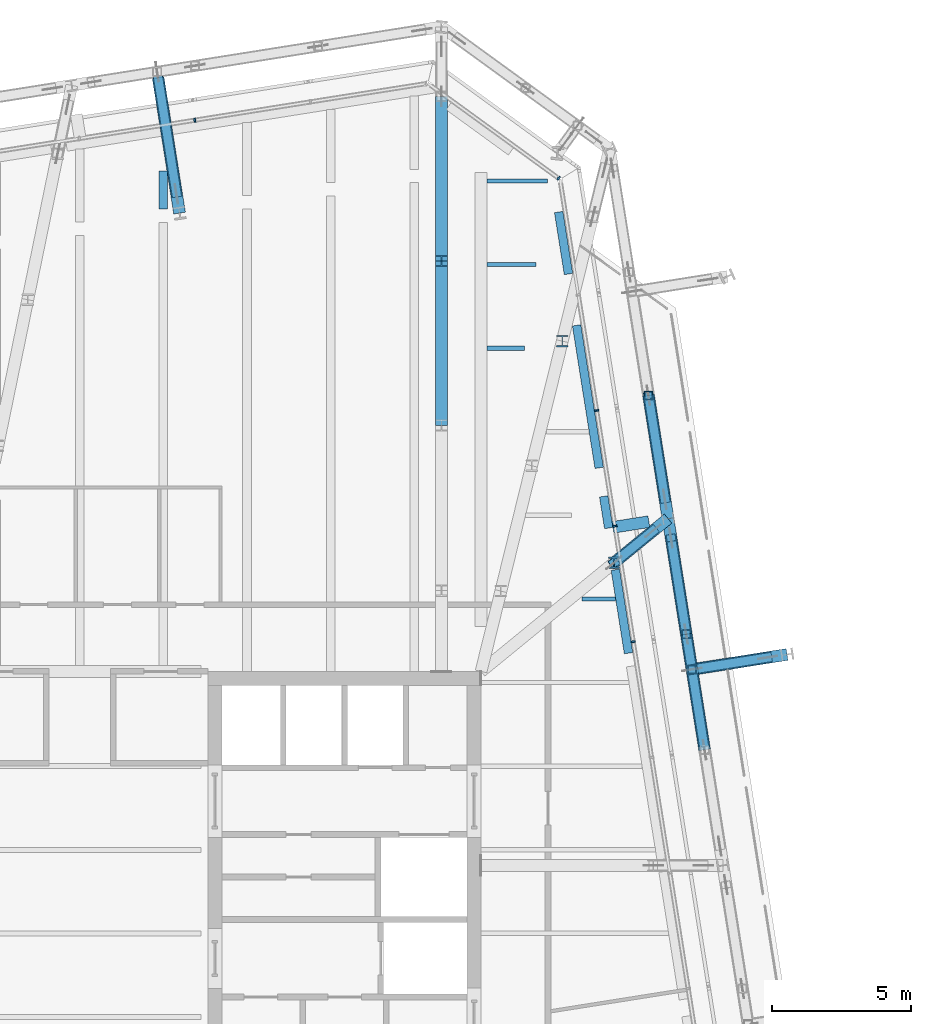
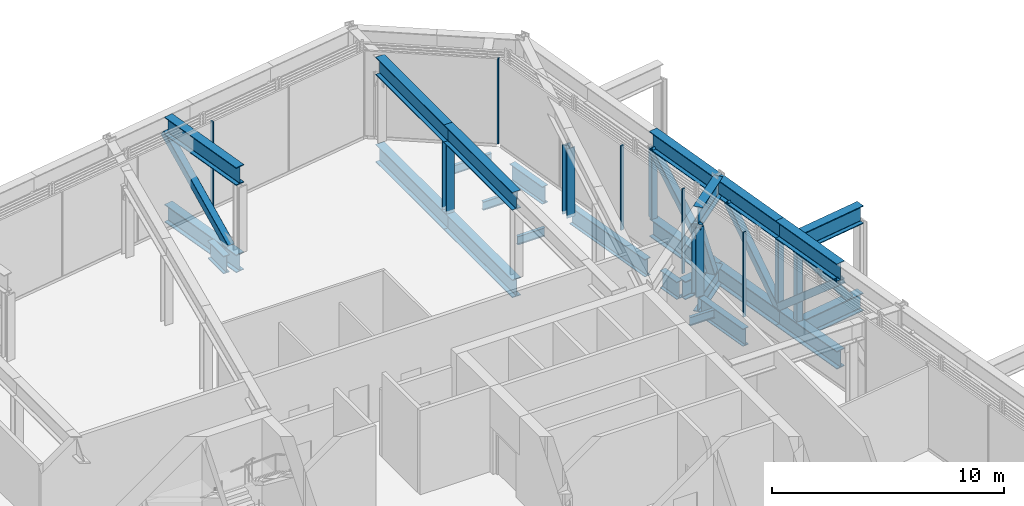
# One storey, part 18 of 35: 26 beams, 17 members, 3 elements without a shape of their own.
"""IFC4 building model written with IfcOpenShell, lengths in metres."""

from ifc_helpers import new_model, si_unit, direction, frame, origin, origin_2d, place, context, subcontext, project, spatial, rectangle, hollow_rectangle, i_section, extrude, material, layer, layer_set, material_profile, profile_set, type_object, element, aggregate, save


model = new_model("IFC4")

# Units and contexts
model_context = context("Model", 3, precision=1e-05, world=origin(), true_north=direction((0.0, 1.0)))
body_context = subcontext(model_context, "Body", "Model", "MODEL_VIEW")
ifc_project = project(units=[si_unit("LENGTHUNIT", "METRE"), si_unit("AREAUNIT", "SQUARE_METRE"), si_unit("VOLUMEUNIT", "CUBIC_METRE"), si_unit("PLANEANGLEUNIT", "RADIAN"), si_unit("MASSUNIT", "GRAM", prefix="KILO")], contexts=[model_context])

# Site, building, storey
site_placement = place(None, origin())
site = spatial("IfcSite", under=ifc_project, at=site_placement, CompositionType="ELEMENT")
building_placement = place(site_placement, origin())
building = spatial("IfcBuilding", under=site, at=building_placement, Name="Millrace Tower", CompositionType="ELEMENT")
storey_placement = place(building_placement, frame((0.0, 0.0, 200.10009765625)))
storey = spatial("IfcBuildingStorey", under=building, at=storey_placement, Name="L45", CompositionType="ELEMENT", Elevation=200.10009765625)

# Curtain wall, members
ifc_material_1 = material(Name="Aluminium and glass", Category="aluminium")
ifc_layer = layer(ifc_material_1, 0.14990234375)
ifc_layer_set = layer_set([ifc_layer], Name="Aluminium and glass")
curtain_wall_type = type_object("IfcCurtainWallType", Name="CW-5 truss and plant storey louvred infill", PredefinedType="NOTDEFINED", material=ifc_layer_set)
placement = place(storey_placement, origin())
curtain_wall_1 = element("IfcCurtainWall", 1, at=placement, inside=storey, type_object=curtain_wall_type, Name="Curtain wall D-F04 L45", PredefinedType="NOTDEFINED")
ifc_material_2 = material(Name="Aluminium", Category="aluminium")
ifc_material_profile_1 = material_profile(ifc_material_2, rectangle(XDim=0.06494140625, YDim=0.14990234375, at=origin_2d()))
ifc_profile_set_1 = profile_set([ifc_material_profile_1], Name="Aluminium")
member_type_1 = type_object("IfcMemberType", Name="CW-5 truss and plant storey louvred infill mullion", PredefinedType="MULLION", material=ifc_profile_set_1)
member_1_placement = place(storey_placement, frame((19.857421875, 10.466064453125, 0.139892578125), z_axis=(0.0, 0.0, 1.0), x_axis=(-0.156434471884, 0.987688339511, 0.0)))
member_1 = element("IfcMember", 2, at=member_1_placement, type_object=member_type_1, Name="CW5 mullion D-F04.6", PredefinedType="MULLION", context=body_context, shape_type="SweptSolid", body=[
    extrude(rectangle(XDim=0.06494140625, YDim=0.14990234375, at=origin_2d()), origin(), (0.0, 0.0, 1.0), 4.4599609375),
])
member_2_placement = place(storey_placement, frame((19.2001953125, 14.6142578125, 0.139892578125), z_axis=(0.0, 0.0, 1.0), x_axis=(-0.156434471884, 0.987688339511, 0.0)))
member_2 = element("IfcMember", 3, at=member_2_placement, type_object=member_type_1, Name="CW5 mullion D-F04.7", PredefinedType="MULLION", context=body_context, shape_type="SweptSolid", body=[
    extrude(rectangle(XDim=0.06494140625, YDim=0.14990234375, at=origin_2d()), origin(), (0.0, 0.0, 1.0), 4.4599609375),
])
member_3_placement = place(storey_placement, frame((18.543212890625, 18.762451171875, 0.139892578125), z_axis=(0.0, 0.0, 1.0), x_axis=(-0.156434471884, 0.987688339511, 0.0)))
member_3 = element("IfcMember", 4, at=member_3_placement, type_object=member_type_1, Name="CW5 mullion D-F04.8", PredefinedType="MULLION", context=body_context, shape_type="SweptSolid", body=[
    extrude(rectangle(XDim=0.06494140625, YDim=0.14990234375, at=origin_2d()), origin(), (0.0, 0.0, 1.0), 4.4599609375),
])
aggregate(curtain_wall_1, [member_1, member_2, member_3])

# Curtain wall, member
curtain_wall_2 = element("IfcCurtainWall", 5, at=placement, inside=storey, type_object=curtain_wall_type, Name="Curtain wall D-F05 L45", PredefinedType="NOTDEFINED")
member_4_placement = place(storey_placement, frame((17.177978515625, 27.094970703125, 0.139892578125), z_axis=(0.0, 0.0, 1.0), x_axis=(-0.809016955361, 0.587785305991, 0.0)))
member_4 = element("IfcMember", 6, at=member_4_placement, type_object=member_type_1, Name="CW5 mullion D-F05.1", PredefinedType="MULLION", context=body_context, shape_type="SweptSolid", body=[
    extrude(rectangle(XDim=0.06494140625, YDim=0.14990234375, at=origin_2d()), origin(), (0.0, 0.0, 1.0), 4.4599609375),
])
aggregate(curtain_wall_2, [member_4])

curtain_wall_3 = element("IfcCurtainWall", 7, at=placement, inside=storey, type_object=curtain_wall_type, Name="Curtain wall D-F06 L45", PredefinedType="NOTDEFINED")
member_5_placement = place(storey_placement, frame((4.12890625, 29.178466796875, 0.139892578125), z_axis=(0.0, 0.0, 1.0), x_axis=(-0.987688339511, -0.156434471884, 0.0)))
member_5 = element("IfcMember", 8, at=member_5_placement, type_object=member_type_1, Name="CW5 mullion D-F06.3", PredefinedType="MULLION", context=body_context, shape_type="SweptSolid", body=[
    extrude(rectangle(XDim=0.06494140625, YDim=0.14990234375, at=origin_2d()), origin(), (0.0, 0.0, 1.0), 4.4599609375),
])
aggregate(curtain_wall_3, [member_5])

# Beams
ifc_material_3 = material(Name="Steel ASTM A992 Grade 50", Category="steel")
ifc_material_profile_2 = material_profile(ifc_material_3, i_section(OverallWidth=0.15234375, OverallDepth=0.449462890625, WebThickness=0.007568359375, FlangeThickness=0.0107421875, FilletRadius=0.01025390625, at=origin_2d()))
ifc_profile_set_2 = profile_set([ifc_material_profile_2], Name="Steel ASTM A992 Grade 50")
beam_type_1 = type_object("IfcBeamType", Name="Floor beam W18x35", PredefinedType="JOIST", material=ifc_profile_set_2)
beam_1_placement = place(storey_placement, frame((14.609619140625, 27.0, -0.384765625), z_axis=(1.0, 0.0, 0.0), x_axis=(0.0, 1.0, 0.0)))
element("IfcBeam", 9, at=beam_1_placement, inside=storey, type_object=beam_type_1, Name="BM-D-L45-S1-S035", PredefinedType="JOIST", context=body_context, shape_type="SweptSolid", body=[
    extrude(i_section(OverallWidth=0.15234375, OverallDepth=0.449462890625, WebThickness=0.007568359375, FlangeThickness=0.0107421875, FilletRadius=0.01025390625, at=origin_2d()), origin(), (0.0, 0.0, 1.0), 2.168701171875),
])
beam_2_placement = place(storey_placement, frame((14.609619140625, 21.0, -0.384765625), z_axis=(1.0, 0.0, 0.0), x_axis=(0.0, 1.0, 0.0)))
element("IfcBeam", 10, at=beam_2_placement, inside=storey, type_object=beam_type_1, Name="BM-D-L45-S1-S032-a", PredefinedType="JOIST", context=body_context, shape_type="SweptSolid", body=[
    extrude(i_section(OverallWidth=0.15234375, OverallDepth=0.449462890625, WebThickness=0.007568359375, FlangeThickness=0.0107421875, FilletRadius=0.01025390625, at=origin_2d()), origin(), (0.0, 0.0, 1.0), 1.353515625),
])
beam_3_placement = place(storey_placement, frame((14.609619140625, 24.0, -0.384765625), z_axis=(1.0, 0.0, 0.0), x_axis=(0.0, 1.0, 0.0)))
element("IfcBeam", 11, at=beam_3_placement, inside=storey, type_object=beam_type_1, Name="BM-D-L45-S1-S034", PredefinedType="JOIST", context=body_context, shape_type="SweptSolid", body=[
    extrude(i_section(OverallWidth=0.15234375, OverallDepth=0.449462890625, WebThickness=0.007568359375, FlangeThickness=0.0107421875, FilletRadius=0.01025390625, at=origin_2d()), origin(), (0.0, 0.0, 1.0), 1.760986328125),
])
beam_4_placement = place(storey_placement, frame((18.011474609375, 12.0, -0.384765625), z_axis=(1.0, 0.0, 0.0), x_axis=(0.0, 1.0, 0.0)))
element("IfcBeam", 12, at=beam_4_placement, inside=storey, type_object=beam_type_1, Name="BM-D-L45-S1-S026-b", PredefinedType="JOIST", context=body_context, shape_type="SweptSolid", body=[
    extrude(i_section(OverallWidth=0.15234375, OverallDepth=0.449462890625, WebThickness=0.007568359375, FlangeThickness=0.0107421875, FilletRadius=0.01025390625, at=origin_2d()), origin(), (0.0, 0.0, 1.0), 1.2158203125),
])
ifc_material_4 = material(Name="Steel ASTM A992 Grade 50", Category="steel")
ifc_material_profile_3 = material_profile(ifc_material_4, i_section(OverallWidth=0.307373046875, OverallDepth=0.927001953125, WebThickness=0.01953125, FlangeThickness=0.031982421875, FilletRadius=0.01904296875, at=origin_2d()))
ifc_profile_set_3 = profile_set([ifc_material_profile_3], Name="Steel ASTM A992 Grade 50")
beam_type_2 = type_object("IfcBeamType", Name="Floor beam W36x194", PredefinedType="JOIST", material=ifc_profile_set_3)
beam_5_placement = place(storey_placement, frame((3.0, 25.99658203125, -0.62353515625), z_axis=(0.0, 1.0, 0.0), x_axis=(-1.0, 0.0, 0.0)))
element("IfcBeam", 13, at=beam_5_placement, inside=storey, type_object=beam_type_2, Name="BM-D-L45-S1-S046-b", PredefinedType="JOIST", context=body_context, shape_type="SweptSolid", body=[
    extrude(i_section(OverallWidth=0.307373046875, OverallDepth=0.927001953125, WebThickness=0.01953125, FlangeThickness=0.031982421875, FilletRadius=0.01904296875, at=origin_2d()), origin(), (0.0, 0.0, 1.0), 1.360107421875),
])
ifc_material_5 = material(Name="Steel ASTM A992 Grade 50", Category="steel")
ifc_material_profile_4 = material_profile(ifc_material_5, i_section(OverallWidth=0.421630859375, OverallDepth=0.95751953125, WebThickness=0.02587890625, FlangeThickness=0.046875, FilletRadius=0.024169921875, at=origin_2d()))
ifc_profile_set_4 = profile_set([ifc_material_profile_4], Name="Steel ASTM A992 Grade 50")
beam_type_3 = type_object("IfcBeamType", Name="Link beam W36x330", PredefinedType="BEAM", material=ifc_profile_set_4)
beam_6_placement = place(storey_placement, frame((19.13134765625, 14.5703125, -0.638916015625), z_axis=(0.987659458233, 0.156616712269, 0.0), x_axis=(-0.156616712269, 0.987659458233, 0.0)))
element("IfcBeam", 14, at=beam_6_placement, inside=storey, type_object=beam_type_3, Name="LNK-D-L45-S1-10", PredefinedType="BEAM", context=body_context, shape_type="SweptSolid", body=[
    extrude(i_section(OverallWidth=0.421630859375, OverallDepth=0.95751953125, WebThickness=0.02587890625, FlangeThickness=0.046875, FilletRadius=0.024169921875, at=origin_2d()), origin(), (0.0, 0.0, 1.0), 1.30322265625),
])
ifc_material_6 = material(Name="Steel ASTM A992 Grade 50", Category="steel")
ifc_material_profile_5 = material_profile(ifc_material_6, i_section(OverallWidth=0.307373046875, OverallDepth=0.927001953125, WebThickness=0.01953125, FlangeThickness=0.031982421875, FilletRadius=0.01904296875, at=origin_2d()))
ifc_profile_set_5 = profile_set([ifc_material_profile_5], Name="Steel ASTM A992 Grade 50")
beam_type_4 = type_object("IfcBeamType", Name="Ring beam short span W36x194", PredefinedType="SPANDREL", material=ifc_profile_set_5)
beam_7_placement = place(storey_placement, frame((18.799560546875, 15.6826171875, -0.62353515625), z_axis=(0.156409375895, -0.987692313999, 0.0), x_axis=(0.987692313999, 0.156409375895, 0.0)))
element("IfcBeam", 15, at=beam_7_placement, inside=storey, type_object=beam_type_4, Name="RNG-D-L45-S1-09-b", PredefinedType="SPANDREL", context=body_context, shape_type="SweptSolid", body=[
    extrude(i_section(OverallWidth=0.307373046875, OverallDepth=0.927001953125, WebThickness=0.01953125, FlangeThickness=0.031982421875, FilletRadius=0.01904296875, at=origin_2d()), origin(), (0.0, 0.0, 1.0), 1.150390625),
])
beam_8_placement = place(storey_placement, frame((19.216552734375, 13.050537109375, -0.62353515625), z_axis=(0.156417289995, -0.987691060702, 0.0), x_axis=(0.987691060702, 0.156417289995, 0.0)))
element("IfcBeam", 16, at=beam_8_placement, inside=storey, type_object=beam_type_4, Name="RNG-D-L45-S1-10-a", PredefinedType="SPANDREL", context=body_context, shape_type="SweptSolid", body=[
    extrude(i_section(OverallWidth=0.307373046875, OverallDepth=0.927001953125, WebThickness=0.01953125, FlangeThickness=0.031982421875, FilletRadius=0.01904296875, at=origin_2d()), origin(), (0.0, 0.0, 1.0), 3.03271484375),
])
beam_9_placement = place(storey_placement, frame((17.183837890625, 25.884033203125, -0.62353515625), z_axis=(0.15646890684, -0.987682884934, 0.0), x_axis=(0.987682884934, 0.15646890684, 0.0)))
element("IfcBeam", 17, at=beam_9_placement, inside=storey, type_object=beam_type_4, Name="RNG-D-L45-S1-09-a-a", PredefinedType="SPANDREL", context=body_context, shape_type="SweptSolid", body=[
    extrude(i_section(OverallWidth=0.307373046875, OverallDepth=0.927001953125, WebThickness=0.01953125, FlangeThickness=0.031982421875, FilletRadius=0.01904296875, at=origin_2d()), origin(), (0.0, 0.0, 1.0), 2.253173828125),
])
beam_10_placement = place(storey_placement, frame((17.827880859375, 21.818115234375, -0.62353515625), z_axis=(0.156425093071, -0.987689824924, 0.0), x_axis=(0.987689824924, 0.156425093071, 0.0)))
element("IfcBeam", 18, at=beam_10_placement, inside=storey, type_object=beam_type_4, Name="RNG-D-L45-S1-09-a-b", PredefinedType="SPANDREL", context=body_context, shape_type="SweptSolid", body=[
    extrude(i_section(OverallWidth=0.307373046875, OverallDepth=0.927001953125, WebThickness=0.01953125, FlangeThickness=0.031982421875, FilletRadius=0.01904296875, at=origin_2d()), origin(), (0.0, 0.0, 1.0), 5.177001953125),
])

# Members
ifc_material_7 = material(Name="Steel ASTM A992 Grade 50", Category="steel")
ifc_material_profile_6 = material_profile(ifc_material_7, i_section(OverallWidth=0.40380859375, OverallDepth=0.406494140625, WebThickness=0.027099609375, FlangeThickness=0.043701171875, FilletRadius=0.01513671875, at=origin_2d()))
ifc_profile_set_6 = profile_set([ifc_material_profile_6], Name="Steel ASTM A992 Grade 50")
member_type_2 = type_object("IfcMemberType", Name="Transfer truss Vierendeel moment post W14x233", PredefinedType="POST", material=ifc_profile_set_6)
for number, where, z_axis, x_axis, name in (
    (19, (19.171142578125, 13.30078125, -0.16015625), (0.0, 0.0, 1.0), (1.0, 0.0, 0.0), "TRS-L45-C08-V01"),
    (20, (17.31201171875, 21.25146484375, -0.16015625), (0.0, 0.0, 1.0), (1.0, 0.0, 0.0), "TRS-L45-C09-V02"),
    (21, (12.974609375, 24.12841796875, -0.16015625), (0.0, 0.0, 1.0), (1.0, 0.0, 0.0), "TRS-L45-C10-V02"),
):
    element("IfcMember", number, at=place(storey_placement, frame(where, z_axis=z_axis, x_axis=x_axis)), inside=storey, type_object=member_type_2, Name=name, PredefinedType="POST", context=body_context, shape_type="SweptSolid", body=[
        extrude(i_section(OverallWidth=0.40380859375, OverallDepth=0.406494140625, WebThickness=0.027099609375, FlangeThickness=0.043701171875, FilletRadius=0.01513671875, at=origin_2d()), origin(), (0.0, 0.0, 1.0), 3.652587890625),
    ])

# Beams
ifc_material_8 = material(Name="Steel ASTM A992 Grade 50", Category="steel")
ifc_material_profile_7 = material_profile(ifc_material_8, i_section(OverallWidth=0.424072265625, OverallDepth=0.947509765625, WebThickness=0.02392578125, FlangeThickness=0.042724609375, FilletRadius=0.024169921875, at=origin_2d()))
ifc_profile_set_7 = profile_set([ifc_material_profile_7], Name="Steel ASTM A992 Grade 50")
beam_type_5 = type_object("IfcBeamType", Name="Transfer truss chord W36x302", PredefinedType="BEAM", material=ifc_profile_set_7)
for number, where, z_axis, x_axis, name in (
    (22, (22.420654296875, 6.586669921875, -0.6337890625), (-0.156419245009, 0.987690751091, 0.0), (-0.987690751091, -0.156419245009, 0.0), "TRS-L45-R07-B02"),
    (23, (22.420654296875, 6.586669921875, 3.96630859375), (-0.156419245009, 0.987690751091, 0.0), (-0.987690751091, -0.156419245009, 0.0), "TRS-L45-R07-T02"),
):
    element("IfcBeam", number, at=place(storey_placement, frame(where, z_axis=z_axis, x_axis=x_axis)), inside=storey, type_object=beam_type_5, Name=name, PredefinedType="BEAM", context=body_context, shape_type="SweptSolid", body=[
        extrude(i_section(OverallWidth=0.424072265625, OverallDepth=0.947509765625, WebThickness=0.02392578125, FlangeThickness=0.042724609375, FilletRadius=0.024169921875, at=origin_2d()), origin(), (0.0, 0.0, 1.0), 4.2001953125),
    ])
for number, where, z_axis, x_axis, name in (
    (24, (21.763671875, 10.735107421875, -0.6337890625), (-0.156428225752, 0.987689328781, 0.0), (-0.987689328781, -0.156428225752, 0.0), "TRS-L45-R07-B03"),
    (25, (21.763671875, 10.735107421875, 3.96630859375), (-0.156428225752, 0.987689328781, 0.0), (-0.987689328781, -0.156428225752, 0.0), "TRS-L45-R07-T03"),
):
    element("IfcBeam", number, at=place(storey_placement, frame(where, z_axis=z_axis, x_axis=x_axis)), inside=storey, type_object=beam_type_5, Name=name, PredefinedType="BEAM", context=body_context, shape_type="SweptSolid", body=[
        extrude(i_section(OverallWidth=0.424072265625, OverallDepth=0.947509765625, WebThickness=0.02392578125, FlangeThickness=0.042724609375, FilletRadius=0.024169921875, at=origin_2d()), origin(), (0.0, 0.0, 1.0), 4.199951171875),
    ])
for number, where, z_axis, x_axis, name in (
    (26, (21.106689453125, 14.88330078125, -0.6337890625), (-0.156424684061, 0.9876898897, 0.0), (-0.9876898897, -0.156424684061, 0.0), "TRS-L45-R08-B01"),
    (27, (21.106689453125, 14.88330078125, 3.96630859375), (-0.156424684061, 0.9876898897, 0.0), (-0.9876898897, -0.156424684061, 0.0), "TRS-L45-R08-T01"),
):
    element("IfcBeam", number, at=place(storey_placement, frame(where, z_axis=z_axis, x_axis=x_axis)), inside=storey, type_object=beam_type_5, Name=name, PredefinedType="BEAM", context=body_context, shape_type="SweptSolid", body=[
        extrude(i_section(OverallWidth=0.424072265625, OverallDepth=0.947509765625, WebThickness=0.02392578125, FlangeThickness=0.042724609375, FilletRadius=0.024169921875, at=origin_2d()), origin(), (0.0, 0.0, 1.0), 4.476318359375),
    ])
for number, where, z_axis, x_axis, name in (
    (28, (21.106689453125, 14.88330078125, -0.6337890625), (-0.774174792234, -0.632971872258, 0.0), (0.632971872258, -0.774174792234, 0.0), "TRS-L45-C08-B01"),
    (29, (21.106689453125, 14.88330078125, 3.96630859375), (-0.774174792234, -0.632971872258, 0.0), (0.632971872258, -0.774174792234, 0.0), "TRS-L45-C08-T01"),
):
    element("IfcBeam", number, at=place(storey_placement, frame(where, z_axis=z_axis, x_axis=x_axis)), inside=storey, type_object=beam_type_5, Name=name, PredefinedType="BEAM", context=body_context, shape_type="SweptSolid", body=[
        extrude(i_section(OverallWidth=0.424072265625, OverallDepth=0.947509765625, WebThickness=0.02392578125, FlangeThickness=0.042724609375, FilletRadius=0.024169921875, at=origin_2d()), origin(), (0.0, 0.0, 1.0), 2.500244140625),
    ])
for number, where, z_axis, x_axis, name in (
    (30, (12.974609375, 30.0283203125, -0.6337890625), (0.0, -1.0, 0.0), (1.0, 0.0, 0.0), "TRS-L45-C10-B02"),
    (31, (12.974609375, 30.0283203125, 3.96630859375), (0.0, -1.0, 0.0), (1.0, 0.0, 0.0), "TRS-L45-C10-T02"),
    (32, (12.974609375, 24.12841796875, -0.6337890625), (0.0, -1.0, 0.0), (1.0, 0.0, 0.0), "TRS-L45-C10-B03"),
    (33, (12.974609375, 24.12841796875, 3.96630859375), (0.0, -1.0, 0.0), (1.0, 0.0, 0.0), "TRS-L45-C10-T03"),
):
    element("IfcBeam", number, at=place(storey_placement, frame(where, z_axis=z_axis, x_axis=x_axis)), inside=storey, type_object=beam_type_5, Name=name, PredefinedType="BEAM", context=body_context, shape_type="SweptSolid", body=[
        extrude(i_section(OverallWidth=0.424072265625, OverallDepth=0.947509765625, WebThickness=0.02392578125, FlangeThickness=0.042724609375, FilletRadius=0.024169921875, at=origin_2d()), origin(), (0.0, 0.0, 1.0), 5.89990234375),
    ])
for number, where, z_axis, x_axis, name in (
    (34, (25.376953125, 10.009765625, -0.6337890625), (-0.987678595069, -0.156495983473, 0.0), (0.156495983473, -0.987678595069, 0.0), "TRS-L45-B-C-X08-B01"),
    (35, (25.376953125, 10.009765625, 3.96630859375), (-0.987678595069, -0.156495983473, 0.0), (0.156495983473, -0.987678595069, 0.0), "TRS-L45-B-C-X08-T01"),
):
    element("IfcBeam", number, at=place(storey_placement, frame(where, z_axis=z_axis, x_axis=x_axis)), inside=storey, type_object=beam_type_5, Name=name, PredefinedType="BEAM", context=body_context, shape_type="SweptSolid", body=[
        extrude(i_section(OverallWidth=0.424072265625, OverallDepth=0.947509765625, WebThickness=0.02392578125, FlangeThickness=0.042724609375, FilletRadius=0.024169921875, at=origin_2d()), origin(), (0.0, 0.0, 1.0), 3.243408203125),
    ])
for number, where, z_axis, x_axis, name in (
    (36, (3.58154296875, 25.844970703125, -0.6337890625), (-0.156418706538, 0.987690836368, 0.0), (-0.987690836368, -0.156418706538, 0.0), "TRS-L45-B-C-X11-B01"),
    (37, (3.58154296875, 25.844970703125, 3.96630859375), (-0.156418706538, 0.987690836368, 0.0), (-0.987690836368, -0.156418706538, 0.0), "TRS-L45-B-C-X11-T01"),
):
    element("IfcBeam", number, at=place(storey_placement, frame(where, z_axis=z_axis, x_axis=x_axis)), inside=storey, type_object=beam_type_5, Name=name, PredefinedType="BEAM", context=body_context, shape_type="SweptSolid", body=[
        extrude(i_section(OverallWidth=0.424072265625, OverallDepth=0.947509765625, WebThickness=0.02392578125, FlangeThickness=0.042724609375, FilletRadius=0.024169921875, at=origin_2d()), origin(), (0.0, 0.0, 1.0), 4.919677734375),
    ])

# Members
ifc_material_9 = material(Name="Steel ASTM A500 Grade C", Category="steel")
ifc_material_profile_8 = material_profile(ifc_material_9, hollow_rectangle(XDim=0.355712890625, YDim=0.355712890625, WallThickness=0.015869140625, InnerFilletRadius=0.008056640625, OuterFilletRadius=0.02392578125, at=origin_2d()))
ifc_profile_set_8 = profile_set([ifc_material_profile_8], Name="Steel ASTM A500 Grade C")
member_type_3 = type_object("IfcMemberType", Name="Transfer truss diagonal HSS14x14x5/8", PredefinedType="BRACE", material=ifc_profile_set_8)
member_6_placement = place(storey_placement, frame((21.763671875, 10.735107421875, -0.16015625), z_axis=(0.118030735894, -0.745291068123, 0.656208784733), x_axis=(0.987690751091, 0.156419245009, 0.0)))
element("IfcMember", 38, at=member_6_placement, inside=storey, type_object=member_type_3, Name="TRS-L45-R07-D02", PredefinedType="BRACE", context=body_context, shape_type="SweptSolid", body=[
    extrude(hollow_rectangle(XDim=0.355712890625, YDim=0.355712890625, WallThickness=0.015869140625, InnerFilletRadius=0.008056640625, OuterFilletRadius=0.02392578125, at=origin_2d()), origin(), (0.0, 0.0, 1.0), 5.566162109375),
])
member_7_placement = place(storey_placement, frame((21.763671875, 10.735107421875, -0.16015625), z_axis=(-0.108250191413, 0.683332349628, 0.722037946379), x_axis=(-0.987683654859, -0.156464046744, 0.0)))
element("IfcMember", 39, at=member_7_placement, inside=storey, type_object=member_type_3, Name="TRS-L45-R07-D03", PredefinedType="BRACE", context=body_context, shape_type="SweptSolid", body=[
    extrude(hollow_rectangle(XDim=0.355712890625, YDim=0.355712890625, WallThickness=0.015869140625, InnerFilletRadius=0.008056640625, OuterFilletRadius=0.02392578125, at=origin_2d()), origin(), (0.0, 0.0, 1.0), 5.058837890625),
])
member_8_placement = place(storey_placement, frame((20.9970703125, 15.57470703125, -0.16015625), z_axis=(-0.112411989442, 0.709928880818, 0.695244222421), x_axis=(-0.987694723912, -0.156394157043, 0.0)))
element("IfcMember", 40, at=member_8_placement, inside=storey, type_object=member_type_3, Name="TRS-L45-R08-D01", PredefinedType="BRACE", context=body_context, shape_type="SweptSolid", body=[
    extrude(hollow_rectangle(XDim=0.355712890625, YDim=0.355712890625, WallThickness=0.015869140625, InnerFilletRadius=0.008056640625, OuterFilletRadius=0.02392578125, at=origin_2d()), origin(), (0.0, 0.0, 1.0), 5.253662109375),
])
member_9_placement = place(storey_placement, frame((20.564697265625, 14.440185546875, -0.16015625), z_axis=(-0.342223902492, -0.279810608432, 0.896988753537), x_axis=(0.632979254646, -0.774168756272, 0.0)))
element("IfcMember", 41, at=member_9_placement, inside=storey, type_object=member_type_3, Name="TRS-L45-C08-D01", PredefinedType="BRACE", context=body_context, shape_type="SweptSolid", body=[
    extrude(hollow_rectangle(XDim=0.355712890625, YDim=0.355712890625, WallThickness=0.015869140625, InnerFilletRadius=0.008056640625, OuterFilletRadius=0.02392578125, at=origin_2d()), origin(), (0.0, 0.0, 1.0), 4.072021484375),
])
member_10_placement = place(storey_placement, frame((24.685546875, 9.900146484375, -0.16015625), z_axis=(-0.594811410838, -0.094181586089, 0.798329013865), x_axis=(0.156390264253, -0.987695340298, 0.0)))
element("IfcMember", 42, at=member_10_placement, inside=storey, type_object=member_type_3, Name="TRS-L45-B-C-X08-D01", PredefinedType="BRACE", context=body_context, shape_type="SweptSolid", body=[
    extrude(hollow_rectangle(XDim=0.355712890625, YDim=0.355712890625, WallThickness=0.015869140625, InnerFilletRadius=0.008056640625, OuterFilletRadius=0.02392578125, at=origin_2d()), origin(), (0.0, 0.0, 1.0), 4.5751953125),
])
member_11_placement = place(storey_placement, frame((3.471923828125, 26.536376953125, -0.16015625), z_axis=(-0.120689411638, 0.76218403003, 0.636010668374), x_axis=(-0.987694082215, -0.156398209572, 0.0)))
element("IfcMember", 43, at=member_11_placement, inside=storey, type_object=member_type_3, Name="TRS-L45-B-C-X11-D01", PredefinedType="BRACE", context=body_context, shape_type="SweptSolid", body=[
    extrude(hollow_rectangle(XDim=0.355712890625, YDim=0.355712890625, WallThickness=0.015869140625, InnerFilletRadius=0.008056640625, OuterFilletRadius=0.02392578125, at=origin_2d()), origin(), (0.0, 0.0, 1.0), 5.742919921875),
])
ifc_material_10 = material(Name="Steel ASTM A500 Grade C", Category="steel")
ifc_material_profile_9 = material_profile(ifc_material_10, hollow_rectangle(XDim=0.3046875, YDim=0.3046875, WallThickness=0.0126953125, InnerFilletRadius=0.00634765625, OuterFilletRadius=0.01904296875, at=origin_2d()))
ifc_profile_set_9 = profile_set([ifc_material_profile_9], Name="Steel ASTM A500 Grade C")
member_type_4 = type_object("IfcMemberType", Name="Transfer truss post HSS12x12x1/2", PredefinedType="POST", material=ifc_profile_set_9)
for number, where, z_axis, x_axis, name in (
    (44, (21.763671875, 10.735107421875, -0.16015625), (0.0, 0.0, 1.0), (1.0, 0.0, 0.0), "TRS-L45-R07-V02"),
    (45, (20.406494140625, 19.304443359375, -0.16015625), (0.0, 0.0, 1.0), (1.0, 0.0, 0.0), "TRS-L45-R08-V01"),
    (46, (21.964111328125, 9.46923828125, -0.16015625), (0.0, 0.0, 1.0), (1.0, 0.0, 0.0), "TRS-L45-B-C-X08-V01"),
):
    element("IfcMember", number, at=place(storey_placement, frame(where, z_axis=z_axis, x_axis=x_axis)), inside=storey, type_object=member_type_4, Name=name, PredefinedType="POST", context=body_context, shape_type="SweptSolid", body=[
        extrude(hollow_rectangle(XDim=0.3046875, YDim=0.3046875, WallThickness=0.0126953125, InnerFilletRadius=0.00634765625, OuterFilletRadius=0.01904296875, at=origin_2d()), origin(), (0.0, 0.0, 1.0), 3.652587890625),
    ])

save(model, "model.ifc")
